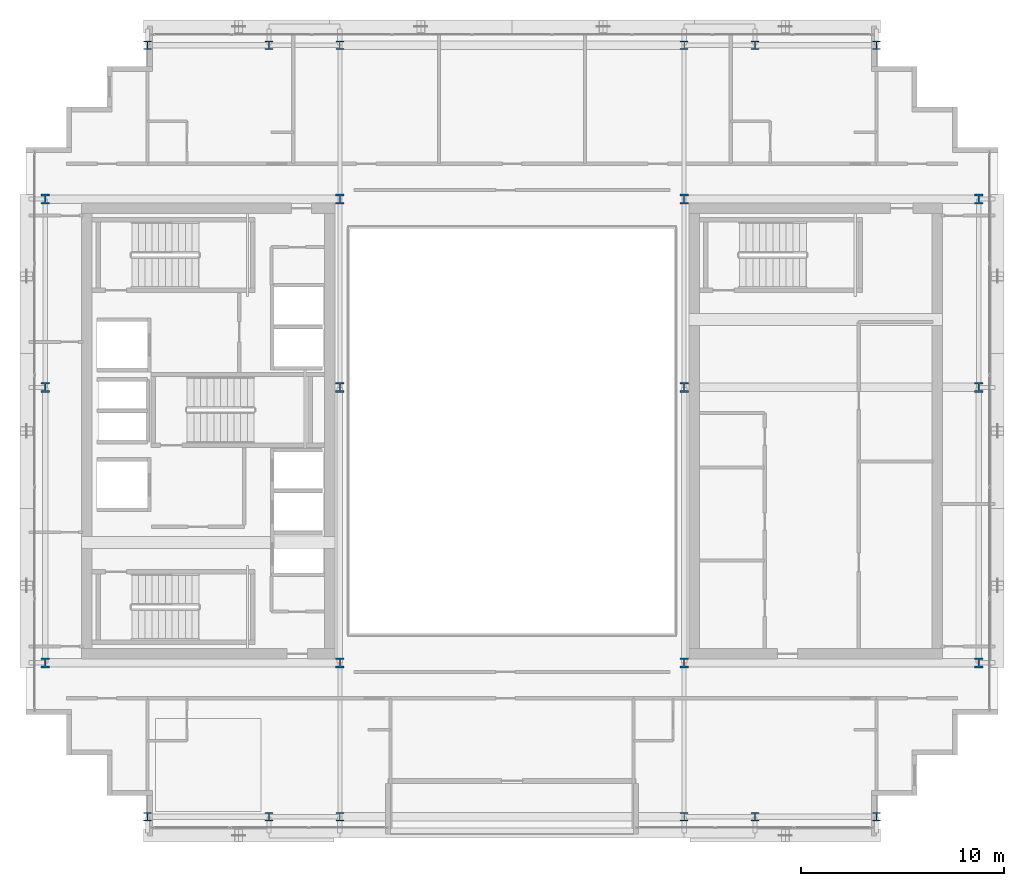
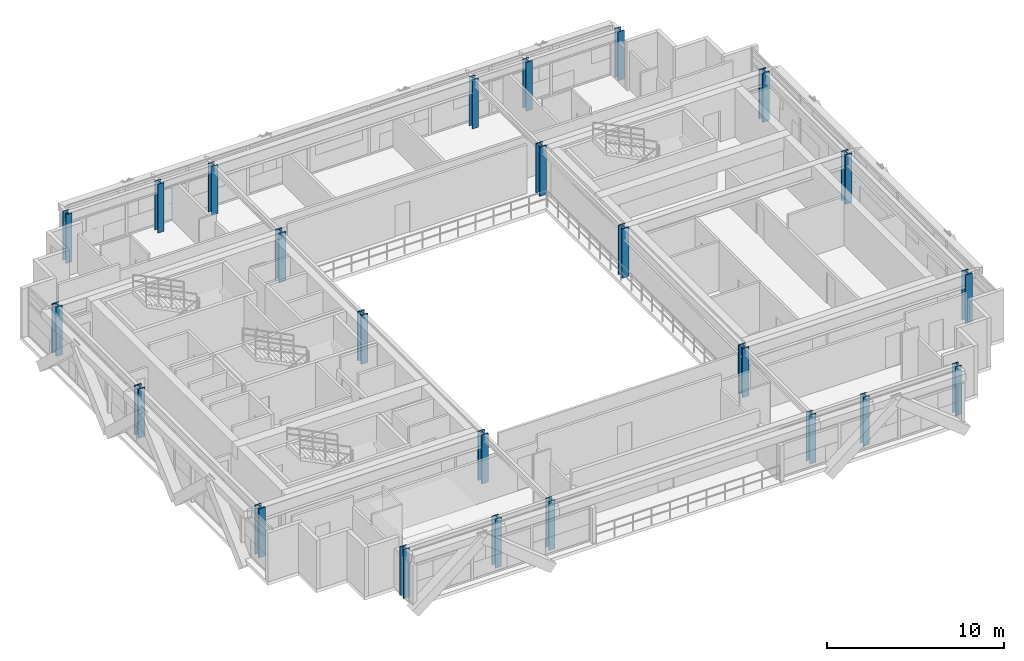
# One storey, part 1 of 30: 24 columns.
"""IFC4 building model written with IfcOpenShell, lengths in metres."""

from ifc_helpers import new_model, si_unit, direction, frame, origin, origin_2d, place, context, subcontext, project, spatial, i_section, extrude, source, transform, mapped, material, material_profile, profile_set, type_object, element, save


model = new_model("IFC4")

# Units and contexts
model_context = context("Model", 3, precision=1e-05, world=origin(), true_north=direction((0.0, 1.0)))
body_context = subcontext(model_context, "Body", "Model", "MODEL_VIEW")
ifc_project = project(units=[si_unit("LENGTHUNIT", "METRE"), si_unit("AREAUNIT", "SQUARE_METRE"), si_unit("VOLUMEUNIT", "CUBIC_METRE"), si_unit("PLANEANGLEUNIT", "RADIAN"), si_unit("MASSUNIT", "GRAM", prefix="KILO")], contexts=[model_context])

# Site, building, storey
site_placement = place(None, origin())
site = spatial("IfcSite", under=ifc_project, at=site_placement, CompositionType="ELEMENT")
building_placement = place(site_placement, origin())
building = spatial("IfcBuilding", under=site, at=building_placement, Name="Ocotamira Hotel", CompositionType="ELEMENT")
storey_placement = place(building_placement, frame((0.0, 0.0, 195.60009765625)))
storey = spatial("IfcBuildingStorey", under=building, at=storey_placement, Name="L49", CompositionType="ELEMENT", Elevation=195.60009765625)

# Columns
ifc_material = material(Name="Steel ASTM A913 Grade 65", Category="steel")
ifc_material_profile_1 = material_profile(ifc_material, i_section(OverallWidth=0.431884765625, OverallDepth=0.498046875, WebThickness=0.0556640625, FlangeThickness=0.0888671875, FilletRadius=0.02490234375, at=origin_2d()), Name="W14X500")
ifc_profile_set_1 = profile_set([ifc_material_profile_1], Name="Steel ASTM A913 Grade 65")
column_type_1 = type_object("IfcColumnType", Name="COL-W14X500", PredefinedType="COLUMN", material=ifc_profile_set_1)
shared_shape_1 = source(origin(), body_context, "Body", "SweptSolid", [
    extrude(i_section(OverallWidth=0.431884765625, OverallDepth=0.498046875, WebThickness=0.0556640625, FlangeThickness=0.0888671875, FilletRadius=0.02490234375, at=origin_2d()), origin(), (0.0, 0.0, 1.0), 3.369873046875),
])
for number, where, z_axis, x_axis, name in (
    (1, (8.949951171875, 14.550048828125, 0.0), (0.0, 0.0, 1.0), (1.0, 0.0, 0.0), "L49 Column TW8_14"),
    (2, (23.5, 14.550048828125, 0.0), (0.0, 0.0, 1.0), (1.0, 0.0, 0.0), "L49 Column TW23_14"),
    (3, (40.5, 14.550048828125, 0.0), (0.0, 0.0, 1.0), (1.0, 0.0, 0.0), "L49 Column TE40_14"),
    (4, (55.050048828125, 14.550048828125, 0.0), (0.0, 0.0, 1.0), (1.0, 0.0, 0.0), "L49 Column TE55_14"),
    (5, (8.949951171875, 28.14990234375, 0.0), (0.0, 0.0, 1.0), (1.0, 0.0, 0.0), "L49 Column TW8_28"),
    (6, (23.5, 28.14990234375, 0.0), (0.0, 0.0, 1.0), (1.0, 0.0, 0.0), "L49 Column TW23_28"),
    (7, (40.5, 28.14990234375, 0.0), (0.0, 0.0, 1.0), (1.0, 0.0, 0.0), "L49 Column TE40_28"),
    (8, (55.050048828125, 28.14990234375, 0.0), (0.0, 0.0, 1.0), (1.0, 0.0, 0.0), "L49 Column TE55_28"),
    (9, (8.949951171875, 37.449951171875, 0.0), (0.0, 0.0, 1.0), (1.0, 0.0, 0.0), "L49 Column TW8_37"),
    (10, (23.5, 37.449951171875, 0.0), (0.0, 0.0, 1.0), (1.0, 0.0, 0.0), "L49 Column TW23_37"),
    (11, (40.5, 37.449951171875, 0.0), (0.0, 0.0, 1.0), (1.0, 0.0, 0.0), "L49 Column TE40_37"),
    (12, (55.050048828125, 37.449951171875, 0.0), (0.0, 0.0, 1.0), (1.0, 0.0, 0.0), "L49 Column TE55_37"),
):
    element("IfcColumn", number, at=place(storey_placement, frame(where, z_axis=z_axis, x_axis=x_axis)), inside=storey, type_object=column_type_1, Name=name, PredefinedType="COLUMN", context=body_context, shape_type="MappedRepresentation", body=[
        mapped(shared_shape_1, transform((0.0, 0.0, 0.0), scale=1.0)),
    ])
ifc_material_profile_2 = material_profile(ifc_material, i_section(OverallWidth=0.404052734375, OverallDepth=0.406982421875, WebThickness=0.027099609375, FlangeThickness=0.043701171875, FilletRadius=0.02490234375, at=origin_2d()), Name="W14X233")
ifc_profile_set_2 = profile_set([ifc_material_profile_2], Name="Steel ASTM A913 Grade 65")
column_type_2 = type_object("IfcColumnType", Name="COL-W14X233", PredefinedType="COLUMN", material=ifc_profile_set_2)
shared_shape_2 = source(origin(), body_context, "Body", "SweptSolid", [
    extrude(i_section(OverallWidth=0.404052734375, OverallDepth=0.406982421875, WebThickness=0.027099609375, FlangeThickness=0.043701171875, FilletRadius=0.02490234375, at=origin_2d()), origin(), (0.0, 0.0, 1.0), 3.369873046875),
])
for number, where, z_axis, x_axis, name in (
    (13, (14.0, 6.949951171875, 0.0), (0.0, 0.0, 1.0), (1.0, 0.0, 0.0), "L49 Column NSP1_14"),
    (14, (20.0, 6.949951171875, 0.0), (0.0, 0.0, 1.0), (1.0, 0.0, 0.0), "L49 Column NSP1_20"),
    (15, (23.5, 6.949951171875, 0.0), (0.0, 0.0, 1.0), (1.0, 0.0, 0.0), "L49 Column NSP1_23"),
    (16, (40.5, 6.949951171875, 0.0), (0.0, 0.0, 1.0), (1.0, 0.0, 0.0), "L49 Column NSP1_40"),
    (17, (44.0, 6.949951171875, 0.0), (0.0, 0.0, 1.0), (1.0, 0.0, 0.0), "L49 Column NSP1_44"),
    (18, (50.0, 6.949951171875, 0.0), (0.0, 0.0, 1.0), (1.0, 0.0, 0.0), "L49 Column NSP1_50"),
    (19, (14.0, 45.050048828125, 0.0), (0.0, 0.0, 1.0), (1.0, 0.0, 0.0), "L49 Column NSP2_14"),
    (20, (20.0, 45.050048828125, 0.0), (0.0, 0.0, 1.0), (1.0, 0.0, 0.0), "L49 Column NSP2_20"),
    (21, (23.5, 45.050048828125, 0.0), (0.0, 0.0, 1.0), (1.0, 0.0, 0.0), "L49 Column NSP2_23"),
    (22, (40.5, 45.050048828125, 0.0), (0.0, 0.0, 1.0), (1.0, 0.0, 0.0), "L49 Column NSP2_40"),
    (23, (44.0, 45.050048828125, 0.0), (0.0, 0.0, 1.0), (1.0, 0.0, 0.0), "L49 Column NSP2_44"),
    (24, (50.0, 45.050048828125, 0.0), (0.0, 0.0, 1.0), (1.0, 0.0, 0.0), "L49 Column NSP2_50"),
):
    element("IfcColumn", number, at=place(storey_placement, frame(where, z_axis=z_axis, x_axis=x_axis)), inside=storey, type_object=column_type_2, Name=name, PredefinedType="COLUMN", context=body_context, shape_type="MappedRepresentation", body=[
        mapped(shared_shape_2, transform((0.0, 0.0, 0.0), scale=1.0)),
    ])

save(model, "model.ifc")
